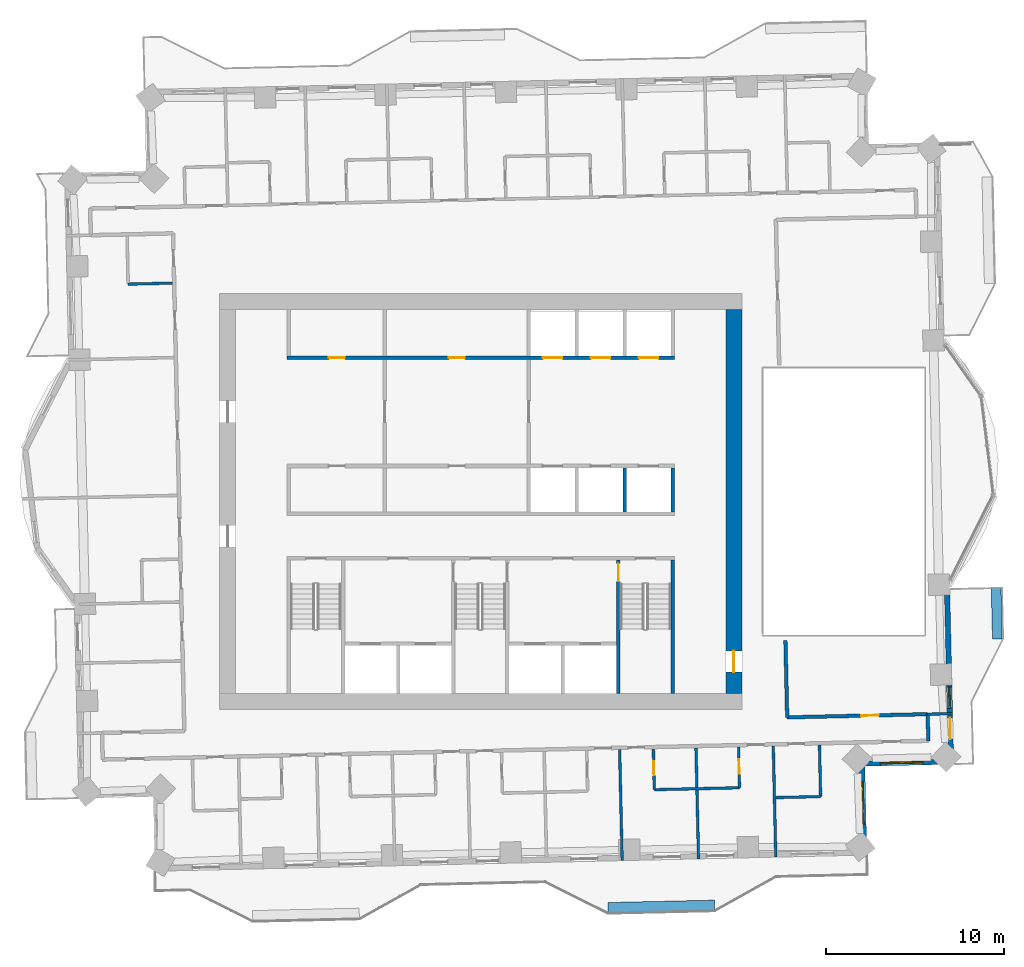
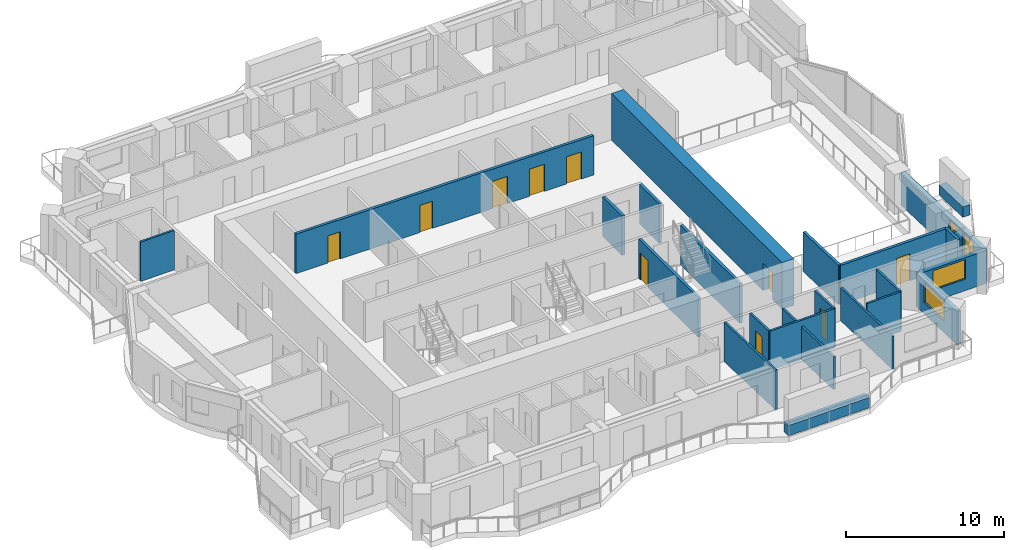
# One storey, part 9 of 16: 24 walls, 11 doors, 3 windows, 14 openings.
"""IFC4 building model written with IfcOpenShell, lengths in metres."""

import ifcopenshell
import ifcopenshell.guid

model = None  # the IFC model being written
_history = None  # IfcOwnerHistory: only IFC2X3 demands one
_inside = {}  # id of a spatial element -> (the spatial element, [elements in it])
_under = {}  # id of a project, library or spatial element -> (it, [spatial elements below it])
_declared = {}  # id of a project -> (the project, [libraries it declares])
_typed = {}  # id of a type object -> (the type object, [elements of that type])
_made_of = {}  # id of a material, layer set ... -> (it, [elements and type objects made of it])


def new_model(schema):
    """Start an empty IFC model of exactly this schema.

    Asked for "IFC4X3", IfcOpenShell would pick the latest addendum, in which some entities
    have other attributes; the version numbers below select the first issue.
    IFC2X3 requires an IfcOwnerHistory on every rooted entity: one is made here for all.
    """
    global model, _history
    if schema == "IFC4X3":
        model = ifcopenshell.file(schema_version=(4, 3, 0, 0))
    else:
        model = ifcopenshell.file(schema=schema)
    _inside.clear()
    _under.clear()
    _declared.clear()
    _typed.clear()
    _made_of.clear()
    _history = None
    if model.schema == "IFC2X3":
        org = make("IfcOrganization", Name="unknown")
        user = make(
            "IfcPersonAndOrganization",
            ThePerson=make("IfcPerson", FamilyName="unknown"),
            TheOrganization=org,
        )
        app = make(
            "IfcApplication",
            ApplicationDeveloper=org,
            Version="unknown",
            ApplicationFullName="unknown",
            ApplicationIdentifier="unknown",
        )
        _history = make(
            "IfcOwnerHistory",
            OwningUser=user,
            OwningApplication=app,
            ChangeAction="ADDED",
            CreationDate=0,
        )
    return model


def make(cls, **values):
    """One entity of the class cls with the attributes given. An attribute that is None is left unset."""
    return model.create_entity(
        cls, **{name: value for name, value in values.items() if value is not None}
    )


def rooted(cls, **values):
    """An entity with a GlobalId (a new one), such as an element, a storey or a relation."""
    return make(cls, GlobalId=ifcopenshell.guid.new(), OwnerHistory=_history, **values)


def si_unit(unit_type, name, prefix=None):
    """IfcSIUnit, for example si_unit("LENGTHUNIT", "METRE", prefix="MILLI")."""
    return make("IfcSIUnit", UnitType=unit_type, Prefix=prefix, Name=name)


def assignment(units):
    """IfcUnitAssignment: the units of a project."""
    return None if units is None else make("IfcUnitAssignment", Units=units)


def point(xyz):
    """IfcCartesianPoint."""
    return None if xyz is None else make("IfcCartesianPoint", Coordinates=xyz)


def direction(xyz):
    """IfcDirection."""
    return None if xyz is None else make("IfcDirection", DirectionRatios=xyz)


def frame(location, z_axis=None, x_axis=None):
    """IfcAxis2Placement3D, a coordinate frame: its origin and axes. An axis left out is left unset."""
    return make(
        "IfcAxis2Placement3D",
        Location=point(location),
        Axis=direction(z_axis),
        RefDirection=direction(x_axis),
    )


def frame_2d(location, x_axis=None):
    """IfcAxis2Placement2D, a coordinate frame in the plane: its origin and x axis."""
    return make(
        "IfcAxis2Placement2D", Location=point(location), RefDirection=direction(x_axis)
    )


def origin():
    """The frame at (0, 0, 0) with its axes left unset."""
    return frame((0.0, 0.0, 0.0))


def place(relative_to, where):
    """IfcLocalPlacement: puts the frame where relative to a parent placement (None: the world)."""
    return make(
        "IfcLocalPlacement", PlacementRelTo=relative_to, RelativePlacement=where
    )


def context(
    kind, dimensions, precision=None, world=None, true_north=None, identifier=None
):
    """IfcGeometricRepresentationContext, for example the 3D "Model" context."""
    return make(
        "IfcGeometricRepresentationContext",
        ContextIdentifier=identifier,
        ContextType=kind,
        CoordinateSpaceDimension=dimensions,
        Precision=precision,
        WorldCoordinateSystem=world,
        TrueNorth=true_north,
    )


def subcontext(parent, identifier, kind, view, scale=None):
    """IfcGeometricRepresentationSubContext, for example "Body" below "Model"."""
    return make(
        "IfcGeometricRepresentationSubContext",
        ContextIdentifier=identifier,
        ContextType=kind,
        ParentContext=parent,
        TargetScale=scale,
        TargetView=view,
    )


def project(units=None, contexts=None):
    """IfcProject with its units and contexts."""
    return rooted(
        "IfcProject",
        Name="project",
        RepresentationContexts=contexts,
        UnitsInContext=assignment(units),
    )


def spatial(cls, under=None, at=None, **own):
    """A site, building, storey or space (cls), placed at a placement, below another one or the project."""
    s = rooted(cls, ObjectPlacement=at, **own)
    if under is not None:
        _under.setdefault(under.id(), (under, []))[1].append(s)
    return s


def profile(cls, at=None, kind="AREA", **sizes):
    """A parametric profile (cls). Its sizes go by their IFC names, for example OverallWidth=200.0."""
    return make(cls, ProfileType=kind, Position=at, **sizes)


def rectangle(**sizes):
    """IfcRectangleProfileDef."""
    return profile("IfcRectangleProfileDef", **sizes)


def extrude(swept, where, along, depth):
    """IfcExtrudedAreaSolid: the profile swept, set in the frame where, extruded along a direction by depth."""
    return make(
        "IfcExtrudedAreaSolid",
        SweptArea=swept,
        Position=where,
        ExtrudedDirection=direction(along),
        Depth=depth,
    )


def shape(context_of_items, identifier, shape_type, items):
    """IfcShapeRepresentation: the items that make up one representation, for example the "Body"."""
    return make(
        "IfcShapeRepresentation",
        ContextOfItems=context_of_items,
        RepresentationIdentifier=identifier,
        RepresentationType=shape_type,
        Items=items,
    )


def material(Name=None, Category=None):
    """IfcMaterial."""
    return make("IfcMaterial", Name=Name, Category=Category)


def layer(
    of_material, thickness, ventilated=None, Name=None, Category=None, Priority=None
):
    """IfcMaterialLayer: one layer of a wall or slab, of a material (None: an air gap)."""
    return make(
        "IfcMaterialLayer",
        Material=of_material,
        LayerThickness=thickness,
        IsVentilated=ventilated,
        Name=Name,
        Category=Category,
        Priority=Priority,
    )


def layer_set(layers, Name=None):
    """IfcMaterialLayerSet."""
    return make("IfcMaterialLayerSet", MaterialLayers=layers, LayerSetName=Name)


def made_of(thing, what):
    """Note that an element or type object is made of a material, layer set ...; save() writes the relation."""
    if what is not None:
        _made_of.setdefault(what.id(), (what, []))[1].append(thing)
    return thing


def type_object(cls, material=None, **own):
    """A type object (cls), such as IfcWallType, which elements share."""
    return made_of(rooted(cls, **own), material)


def element(
    cls,
    number,
    at=None,
    inside=None,
    cuts=None,
    type_object=None,
    material=None,
    context=None,
    identifier="Body",
    shape_type=None,
    held_by="IfcProductDefinitionShape",
    body=None,
    shapes=None,
    **own,
):
    """One element of the class cls, such as IfcWall. Its Tag is "e" and its number.

    at: its placement. inside: the storey or other place that contains it. cuts: it is an
    opening in that element (IfcRelVoidsElement). A single representation is given by context,
    identifier, shape_type and body (its items); several are given by shapes. held_by: the class
    of the entity that holds the representations. save() writes the other relations.
    """
    e = rooted(cls, Tag="e%d" % number, ObjectPlacement=at, **own)
    if body is not None:
        shapes = [shape(context, identifier, shape_type, body)]
    if shapes is not None:
        e.Representation = make(held_by, Representations=shapes)
    if inside is not None:
        _inside.setdefault(inside.id(), (inside, []))[1].append(e)
    if cuts is not None:
        rooted(
            "IfcRelVoidsElement", RelatingBuildingElement=cuts, RelatedOpeningElement=e
        )
    if type_object is not None:
        _typed.setdefault(type_object.id(), (type_object, []))[1].append(e)
    return made_of(e, material)


def fill(opening, filler):
    """IfcRelFillsElement: the door or window that sits in an opening."""
    return rooted(
        "IfcRelFillsElement",
        RelatingOpeningElement=opening,
        RelatedBuildingElement=filler,
    )


def aggregate(whole, parts):
    """IfcRelAggregates: a whole, such as a stair, and the parts it consists of."""
    return rooted("IfcRelAggregates", RelatingObject=whole, RelatedObjects=parts)


def save(model, path):
    """Write the relations noted so far, then the file.

    IfcRelAggregates (storeys below a building ...), IfcRelContainedInSpatialStructure (elements
    in a storey), IfcRelDefinesByType, IfcRelAssociatesMaterial and IfcRelDeclares: one each for
    every whole, place, type object, material and project.
    """
    for whole, parts in _under.values():
        aggregate(whole, parts)
    for where, things in _inside.values():
        rooted(
            "IfcRelContainedInSpatialStructure",
            RelatedElements=things,
            RelatingStructure=where,
        )
    for kind, things in _typed.values():
        rooted("IfcRelDefinesByType", RelatedObjects=things, RelatingType=kind)
    for what, things in _made_of.values():
        rooted("IfcRelAssociatesMaterial", RelatedObjects=things, RelatingMaterial=what)
    for by, libraries in _declared.values():
        rooted("IfcRelDeclares", RelatingContext=by, RelatedDefinitions=libraries)
    model.write(path)


model = new_model("IFC4")

# Units and contexts
model_context = context("Model", 3, precision=1e-05, world=origin(), true_north=direction((0.0, 1.0)))
body_context = subcontext(model_context, "Body", "Model", "MODEL_VIEW")
ifc_project = project(units=[si_unit("LENGTHUNIT", "METRE"), si_unit("AREAUNIT", "SQUARE_METRE"), si_unit("VOLUMEUNIT", "CUBIC_METRE"), si_unit("PLANEANGLEUNIT", "RADIAN"), si_unit("MASSUNIT", "GRAM", prefix="KILO")], contexts=[model_context])

# Site, building, storey
site_placement = place(None, origin())
site = spatial("IfcSite", under=ifc_project, at=site_placement, CompositionType="ELEMENT")
building_placement = place(site_placement, origin())
building = spatial("IfcBuilding", under=site, at=building_placement, Name="Mangrove Gate Tower", CompositionType="ELEMENT")
storey_placement = place(building_placement, frame((0.0, 0.0, 178.89990234375)))
storey = spatial("IfcBuildingStorey", under=building, at=storey_placement, Name="L45", CompositionType="ELEMENT", Elevation=178.89990234375)

# Wall, openings, doors
ifc_material_1 = material(Name="Concrete C60/75", Category="concrete")
ifc_layer_1 = layer(ifc_material_1, 0.199951171875)
ifc_layer_set_1 = layer_set([ifc_layer_1], Name="Core shaft wall 200 C60/75")
wall_type_1 = type_object("IfcWallType", Name="Core shaft wall 200 C60/75", PredefinedType="SHEAR", material=ifc_layer_set_1)
wall_1_placement = place(storey_placement, frame((-10.89990234375, 8.10009765625, 0.0), z_axis=(0.0, 0.0, 1.0), x_axis=(1.0, 0.0, 0.0)))
wall_1 = element("IfcWall", 1, at=wall_1_placement, inside=storey, type_object=wall_type_1, Name="WALL-L45-CORE-8", PredefinedType="SHEAR", context=body_context, shape_type="SweptSolid", body=[
    extrude(rectangle(XDim=21.7998046875, YDim=0.199951171875, at=frame_2d((10.89990234375, 0.0))), origin(), (0.0, 0.0, 1.0), 3.050048828125),
])
opening_1_placement = place(wall_1_placement, frame((14.39990234375, 0.0, 0.0)))
opening_1 = element("IfcOpeningElement", 2, at=opening_1_placement, cuts=wall_1, Name="Opening LD", PredefinedType="OPENING", context=body_context, shape_type="SweptSolid", body=[
    extrude(rectangle(XDim=1.10009765625, YDim=2.10009765625, at=frame_2d((0.550048828125, 1.050048828125))), frame((0.0, 0.10986328125, 0.0), z_axis=(0.0, -1.0, 0.0), x_axis=(1.0, 0.0, 0.0)), (0.0, 0.0, 1.0), 0.219970703125),
])
opening_2_placement = place(wall_1_placement, frame((17.10009765625, 0.0, 0.0)))
opening_2 = element("IfcOpeningElement", 3, at=opening_2_placement, cuts=wall_1, Name="Opening LD", PredefinedType="OPENING", context=body_context, shape_type="SweptSolid", body=[
    extrude(rectangle(XDim=1.10009765625, YDim=2.10009765625, at=frame_2d((0.550048828125, 1.050048828125))), frame((0.0, 0.10986328125, 0.0), z_axis=(0.0, -1.0, 0.0), x_axis=(1.0, 0.0, 0.0)), (0.0, 0.0, 1.0), 0.219970703125),
])
opening_3_placement = place(wall_1_placement, frame((19.800048828125, 0.0, 0.0)))
opening_3 = element("IfcOpeningElement", 4, at=opening_3_placement, cuts=wall_1, Name="Opening LD", PredefinedType="OPENING", context=body_context, shape_type="SweptSolid", body=[
    extrude(rectangle(XDim=1.10009765625, YDim=2.10009765625, at=frame_2d((0.550048828125, 1.050048828125))), frame((0.0, 0.10986328125, 0.0), z_axis=(0.0, -1.0, 0.0), x_axis=(1.0, 0.0, 0.0)), (0.0, 0.0, 1.0), 0.219970703125),
])
opening_4_placement = place(wall_1_placement, frame((2.35009765625, 0.0, 0.0)))
opening_4 = element("IfcOpeningElement", 5, at=opening_4_placement, cuts=wall_1, Name="Opening RD", PredefinedType="OPENING", context=body_context, shape_type="SweptSolid", body=[
    extrude(rectangle(XDim=0.89990234375, YDim=2.10009765625, at=frame_2d((0.449951171875, 1.050048828125))), frame((0.0, 0.10986328125, 0.0), z_axis=(0.0, -1.0, 0.0), x_axis=(1.0, 0.0, 0.0)), (0.0, 0.0, 1.0), 0.219970703125),
])
opening_5_placement = place(wall_1_placement, frame((9.10009765625, 0.0, 0.0)))
opening_5 = element("IfcOpeningElement", 6, at=opening_5_placement, cuts=wall_1, Name="Opening KD", PredefinedType="OPENING", context=body_context, shape_type="SweptSolid", body=[
    extrude(rectangle(XDim=0.89990234375, YDim=2.10009765625, at=frame_2d((0.449951171875, 1.050048828125))), frame((0.0, 0.10986328125, 0.0), z_axis=(0.0, -1.0, 0.0), x_axis=(1.0, 0.0, 0.0)), (0.0, 0.0, 1.0), 0.219970703125),
])
ifc_material_2 = material(Name="Fire-rated steel door set", Category="steel")
door_type_1 = type_object("IfcDoorType", Name="Core room door FD30S 900x2100", OperationType="SINGLE_SWING_RIGHT", PredefinedType="DOOR", material=ifc_material_2)
door_1_placement = place(opening_5_placement, origin())
door_1 = element("IfcDoor", 7, at=door_1_placement, inside=storey, type_object=door_type_1, Name="Core room door Linen store", OperationType="SINGLE_SWING_RIGHT", OverallHeight=2.10009765625, OverallWidth=0.89990234375, PredefinedType="DOOR", context=body_context, shape_type="SweptSolid", body=[
    extrude(rectangle(XDim=0.89990234375, YDim=2.10009765625, at=frame_2d((0.449951171875, 1.050048828125))), frame((0.0, 0.02490234375, 0.0), z_axis=(0.0, -1.0, 0.0), x_axis=(1.0, 0.0, 0.0)), (0.0, 0.0, 1.0), 0.050048828125),
])
fill(opening_5, door_1)
ifc_material_3 = material(Name="Stainless steel 316", Category="steel")
door_type_2 = type_object("IfcDoorType", Name="Lift landing door 1100x2100", OperationType="SLIDING_TO_LEFT", PredefinedType="DOOR", material=ifc_material_3)
door_2_placement = place(opening_1_placement, origin())
door_2 = element("IfcDoor", 8, at=door_2_placement, inside=storey, type_object=door_type_2, Name="Landing door LD M04", OperationType="SLIDING_TO_LEFT", OverallHeight=2.10009765625, OverallWidth=1.10009765625, PredefinedType="DOOR", context=body_context, shape_type="SweptSolid", body=[
    extrude(rectangle(XDim=1.10009765625, YDim=2.10009765625, at=frame_2d((0.550048828125, 1.050048828125))), frame((0.0, 0.02490234375, 0.0), z_axis=(0.0, -1.0, 0.0), x_axis=(1.0, 0.0, 0.0)), (0.0, 0.0, 1.0), 0.050048828125),
])
fill(opening_1, door_2)
door_3_placement = place(opening_2_placement, origin())
door_3 = element("IfcDoor", 9, at=door_3_placement, inside=storey, type_object=door_type_2, Name="Landing door LD M05", OperationType="SLIDING_TO_LEFT", OverallHeight=2.10009765625, OverallWidth=1.10009765625, PredefinedType="DOOR", context=body_context, shape_type="SweptSolid", body=[
    extrude(rectangle(XDim=1.10009765625, YDim=2.10009765625, at=frame_2d((0.550048828125, 1.050048828125))), frame((0.0, 0.02490234375, 0.0), z_axis=(0.0, -1.0, 0.0), x_axis=(1.0, 0.0, 0.0)), (0.0, 0.0, 1.0), 0.050048828125),
])
fill(opening_2, door_3)
door_4_placement = place(opening_3_placement, origin())
door_4 = element("IfcDoor", 10, at=door_4_placement, inside=storey, type_object=door_type_2, Name="Landing door LD M06", OperationType="SLIDING_TO_LEFT", OverallHeight=2.10009765625, OverallWidth=1.10009765625, PredefinedType="DOOR", context=body_context, shape_type="SweptSolid", body=[
    extrude(rectangle(XDim=1.10009765625, YDim=2.10009765625, at=frame_2d((0.550048828125, 1.050048828125))), frame((0.0, 0.02490234375, 0.0), z_axis=(0.0, -1.0, 0.0), x_axis=(1.0, 0.0, 0.0)), (0.0, 0.0, 1.0), 0.050048828125),
])
fill(opening_3, door_4)
ifc_material_4 = material(Name="Fire-rated steel door set", Category="steel")
door_type_3 = type_object("IfcDoorType", Name="Riser door FD30S 900x2100", OperationType="SINGLE_SWING_LEFT", PredefinedType="DOOR", material=ifc_material_4)
door_5_placement = place(opening_4_placement, origin())
door_5 = element("IfcDoor", 11, at=door_5_placement, inside=storey, type_object=door_type_3, Name="Riser door Electrical room", OperationType="SINGLE_SWING_LEFT", OverallHeight=2.10009765625, OverallWidth=0.89990234375, PredefinedType="DOOR", context=body_context, shape_type="SweptSolid", body=[
    extrude(rectangle(XDim=0.89990234375, YDim=2.10009765625, at=frame_2d((0.449951171875, 1.050048828125))), frame((0.0, 0.02490234375, 0.0), z_axis=(0.0, -1.0, 0.0), x_axis=(1.0, 0.0, 0.0)), (0.0, 0.0, 1.0), 0.050048828125),
])
fill(opening_4, door_5)

# Walls
for number, where, z_axis, x_axis, name in (
    (12, (8.10009765625, -0.60009765625, 0.0), (0.0, 0.0, 1.0), (0.0, 1.0, 0.0), "WALL-L45-CORE-23"),
    (13, (10.800048828125, -0.60009765625, 0.0), (0.0, 0.0, 1.0), (0.0, 1.0, 0.0), "WALL-L45-CORE-24"),
):
    element("IfcWall", number, at=place(storey_placement, frame(where, z_axis=z_axis, x_axis=x_axis)), inside=storey, type_object=wall_type_1, Name=name, PredefinedType="SHEAR", context=body_context, shape_type="SweptSolid", body=[
        extrude(rectangle(XDim=2.5, YDim=0.199951171875, at=frame_2d((1.25, 0.0))), origin(), (0.0, 0.0, 1.0), 3.050048828125),
    ])

# Wall, opening, door
ifc_material_5 = material(Name="Concrete C60/75", Category="concrete")
ifc_layer_2 = layer(ifc_material_5, 0.199951171875)
ifc_layer_set_2 = layer_set([ifc_layer_2], Name="Core stair wall 200 C60/75")
wall_type_2 = type_object("IfcWallType", Name="Core stair wall 200 C60/75", PredefinedType="SHEAR", material=ifc_layer_set_2)
wall_2_placement = place(storey_placement, frame((7.75, -10.800048828125, 0.0), z_axis=(0.0, 0.0, 1.0), x_axis=(0.0, 1.0, 0.0)))
wall_2 = element("IfcWall", 14, at=wall_2_placement, inside=storey, type_object=wall_type_2, Name="WALL-L45-CORE-13", PredefinedType="SHEAR", context=body_context, shape_type="SweptSolid", body=[
    extrude(rectangle(XDim=7.5, YDim=0.199951171875, at=frame_2d((3.75, 0.0))), origin(), (0.0, 0.0, 1.0), 3.050048828125),
])
opening_6_placement = place(wall_2_placement, frame((6.300048828125, 0.0, 0.0)))
opening_6 = element("IfcOpeningElement", 15, at=opening_6_placement, cuts=wall_2, Name="Opening STD10", PredefinedType="OPENING", context=body_context, shape_type="SweptSolid", body=[
    extrude(rectangle(XDim=1.0, YDim=2.10009765625, at=frame_2d((0.5, 1.050048828125))), frame((0.0, 0.10986328125, 0.0), z_axis=(0.0, -1.0, 0.0), x_axis=(1.0, 0.0, 0.0)), (0.0, 0.0, 1.0), 0.219970703125),
])
ifc_material_6 = material(Name="Fire-rated steel door set", Category="steel")
door_type_4 = type_object("IfcDoorType", Name="Stair door FD60 1000x2100", OperationType="SINGLE_SWING_RIGHT", PredefinedType="DOOR", material=ifc_material_6)
door_6_placement = place(opening_6_placement, origin())
door_6 = element("IfcDoor", 16, at=door_6_placement, inside=storey, type_object=door_type_4, Name="Stair door Stair 3 from fire-fighting lobby", OperationType="SINGLE_SWING_RIGHT", OverallHeight=2.10009765625, OverallWidth=1.0, PredefinedType="DOOR", context=body_context, shape_type="SweptSolid", body=[
    extrude(rectangle(XDim=1.0, YDim=2.10009765625, at=frame_2d((0.5, 1.050048828125))), frame((0.0, 0.02490234375, 0.0), z_axis=(0.0, -1.0, 0.0), x_axis=(1.0, 0.0, 0.0)), (0.0, 0.0, 1.0), 0.050048828125),
])
fill(opening_6, door_6)

# Wall
wall_3_placement = place(storey_placement, frame((10.800048828125, -10.800048828125, 0.0), z_axis=(0.0, 0.0, 1.0), x_axis=(0.0, 1.0, 0.0)))
element("IfcWall", 17, at=wall_3_placement, inside=storey, type_object=wall_type_2, Name="WALL-L45-CORE-14", PredefinedType="SHEAR", context=body_context, shape_type="SweptSolid", body=[
    extrude(rectangle(XDim=7.5, YDim=0.199951171875, at=frame_2d((3.75, 0.0))), origin(), (0.0, 0.0, 1.0), 3.050048828125),
])

# Wall, opening, door
ifc_material_7 = material(Name="Concrete C60/75", Category="concrete")
ifc_layer_3 = layer(ifc_material_7, 0.89990234375)
ifc_layer_set_3 = layer_set([ifc_layer_3], Name="Core wall 900 C60/75")
wall_type_3 = type_object("IfcWallType", Name="Core wall 900 C60/75", PredefinedType="SHEAR", material=ifc_layer_set_3)
wall_4_placement = place(storey_placement, frame((14.25, -10.800048828125, 0.0), z_axis=(0.0, 0.0, 1.0), x_axis=(0.0, 1.0, 0.0)))
wall_4 = element("IfcWall", 18, at=wall_4_placement, inside=storey, type_object=wall_type_3, Name="WALL-L45-CORE-4", PredefinedType="SHEAR", context=body_context, shape_type="SweptSolid", body=[
    extrude(rectangle(XDim=21.60009765625, YDim=0.89990234375, at=frame_2d((10.800048828125, 0.0))), origin(), (0.0, 0.0, 1.0), 3.60009765625),
])
opening_7_placement = place(wall_4_placement, frame((1.199951171875, 0.0, 0.0)))
opening_7 = element("IfcOpeningElement", 19, at=opening_7_placement, cuts=wall_4, Name="Opening CD", PredefinedType="OPENING", context=body_context, shape_type="SweptSolid", body=[
    extrude(rectangle(XDim=1.199951171875, YDim=2.10009765625, at=frame_2d((0.60009765625, 1.050048828125))), frame((0.0, 0.4599609375, 0.0), z_axis=(0.0, -1.0, 0.0), x_axis=(1.0, 0.0, 0.0)), (0.0, 0.0, 1.0), 0.919921875),
])
ifc_material_8 = material(Name="Fire-rated steel door set", Category="steel")
door_type_5 = type_object("IfcDoorType", Name="Core ring door FD60 1200x2100", OperationType="DOUBLE_DOOR_SINGLE_SWING", PredefinedType="DOOR", material=ifc_material_8)
door_7_placement = place(opening_7_placement, origin())
door_7 = element("IfcDoor", 20, at=door_7_placement, inside=storey, type_object=door_type_5, Name="Core ring door E1", OperationType="DOUBLE_DOOR_SINGLE_SWING", OverallHeight=2.10009765625, OverallWidth=1.199951171875, PredefinedType="DOOR", context=body_context, shape_type="SweptSolid", body=[
    extrude(rectangle(XDim=1.199951171875, YDim=2.10009765625, at=frame_2d((0.60009765625, 1.050048828125))), frame((0.0, 0.02490234375, 0.0), z_axis=(0.0, -1.0, 0.0), x_axis=(1.0, 0.0, 0.0)), (0.0, 0.0, 1.0), 0.050048828125),
])
fill(opening_7, door_7)

# Walls
ifc_material_9 = material(Name="Gypsum board on steel stud, EI 60", Category="steel")
ifc_layer_4 = layer(ifc_material_9, 0.199951171875)
ifc_layer_set_4 = layer_set([ifc_layer_4], Name="Corridor wall EI 60")
wall_type_4 = type_object("IfcWallType", Name="Corridor wall EI 60", PredefinedType="PARTITIONING", material=ifc_layer_set_4)
wall_5_placement = place(storey_placement, frame((25.18896484375, -13.468994140625, 0.0), z_axis=(0.0, 0.0, 1.0), x_axis=(-0.022617910375, 0.999744182344, 0.0)))
element("IfcWall", 21, at=wall_5_placement, inside=storey, type_object=wall_type_4, Name="WALL-L45-026", PredefinedType="PARTITIONING", context=body_context, shape_type="SweptSolid", body=[
    extrude(rectangle(XDim=1.50048828125, YDim=0.199951171875, at=frame_2d((0.750244140625, 0.0))), origin(), (0.0, 0.0, 1.0), 3.050048828125),
])
wall_6_placement = place(storey_placement, frame((17.2470703125, -12.14892578125, 0.0), z_axis=(0.0, 0.0, 1.0), x_axis=(-0.022729111383, 0.999741660378, 0.0)))
element("IfcWall", 22, at=wall_6_placement, inside=storey, type_object=wall_type_4, Name="WALL-L45-030", PredefinedType="PARTITIONING", context=body_context, shape_type="SweptSolid", body=[
    extrude(rectangle(XDim=4.318115234375, YDim=0.199951171875, at=frame_2d((2.1591796875, 0.0))), origin(), (0.0, 0.0, 1.0), 3.050048828125),
])

# Wall, opening, door
wall_7_placement = place(storey_placement, frame((17.248046875, -12.14892578125, 0.0), z_axis=(0.0, 0.0, 1.0), x_axis=(0.999741181744, 0.022750154412, 0.0)))
wall_7 = element("IfcWall", 23, at=wall_7_placement, inside=storey, type_object=wall_type_4, Name="WALL-L45-031", PredefinedType="PARTITIONING", context=body_context, shape_type="SweptSolid", body=[
    extrude(rectangle(XDim=7.908935546875, YDim=0.199951171875, at=frame_2d((3.95458984375, 0.0))), origin(), (0.0, 0.0, 1.0), 3.050048828125),
])
opening_8_placement = place(wall_7_placement, frame((4.155029296875, 0.0, 0.0)))
opening_8 = element("IfcOpeningElement", 24, at=opening_8_placement, cuts=wall_7, Name="Opening AD", PredefinedType="OPENING", context=body_context, shape_type="SweptSolid", body=[
    extrude(rectangle(XDim=1.0, YDim=2.10009765625, at=frame_2d((0.5, 1.050048828125))), frame((0.0, 0.10986328125, 0.0), z_axis=(0.0, -1.0, 0.0), x_axis=(1.0, 0.0, 0.0)), (0.0, 0.0, 1.0), 0.219970703125),
])
ifc_material_10 = material(Name="Timber door leaf", Category="wood")
door_type_6 = type_object("IfcDoorType", Name="Amenity door 1000", OperationType="SINGLE_SWING_LEFT", PredefinedType="DOOR", material=ifc_material_10)
door_8_placement = place(opening_8_placement, origin())
door_8 = element("IfcDoor", 25, at=door_8_placement, inside=storey, type_object=door_type_6, Name="DOOR-L45-LNG-c3b", OperationType="SINGLE_SWING_LEFT", OverallHeight=2.10009765625, OverallWidth=1.0, PredefinedType="DOOR", context=body_context, shape_type="SweptSolid", body=[
    extrude(rectangle(XDim=1.0, YDim=2.10009765625, at=frame_2d((0.5, 1.050048828125))), frame((0.0, 0.02490234375, 0.0), z_axis=(0.0, -1.0, 0.0), x_axis=(1.0, 0.0, 0.0)), (0.0, 0.0, 1.0), 0.050048828125),
])
fill(opening_8, door_8)

# Wall, openings, door, window
ifc_material_11 = material(Name="Limestone", Category="masonry")
ifc_layer_5 = layer(ifc_material_11, 0.0400390625, Name="Limestone cladding")
ifc_material_12 = material(Name="Ventilated air gap")
ifc_layer_6 = layer(ifc_material_12, 0.0400390625, Name="Ventilated cavity")
ifc_material_13 = material(Name="Mineral wool insulation")
ifc_layer_7 = layer(ifc_material_13, 0.06005859375, Name="Insulation")
ifc_material_14 = material(Name="Breather membrane")
ifc_layer_8 = layer(ifc_material_14, 0.001953125, Name="Breather membrane")
ifc_material_15 = material(Name="Concrete C20/25 blockwork", Category="masonry")
ifc_layer_9 = layer(ifc_material_15, 0.14990234375, Name="Blockwork backing wall")
ifc_material_16 = material(Name="Gypsum plaster")
ifc_layer_10 = layer(ifc_material_16, 0.008056640625, Name="Internal plaster")
ifc_layer_set_5 = layer_set([ifc_layer_5, ifc_layer_6, ifc_layer_7, ifc_layer_8, ifc_layer_9, ifc_layer_10], Name="External wall 300 limestone cladding")
wall_type_5 = type_object("IfcWallType", Name="External wall 300 limestone cladding", PredefinedType="SOLIDWALL", material=ifc_layer_set_5)
wall_8_placement = place(storey_placement, frame((26.466064453125, -14.639892578125, 0.0), z_axis=(0.0, 0.0, 1.0), x_axis=(-0.022735782058, 0.999741508698, 0.0)))
wall_8 = element("IfcWall", 26, at=wall_8_placement, inside=storey, type_object=wall_type_5, Name="WALL-L45-E0", PredefinedType="SOLIDWALL", context=body_context, shape_type="SweptSolid", body=[
    extrude(rectangle(XDim=10.029541015625, YDim=0.300048828125, at=frame_2d((5.0146484375, 0.0))), origin(), (0.0, 0.0, 1.0), 2.550048828125),
])
opening_9_placement = place(wall_8_placement, frame((1.260009765625, 0.0, 0.0)))
opening_9 = element("IfcOpeningElement", 27, at=opening_9_placement, cuts=wall_8, Name="Opening BD2", PredefinedType="OPENING", context=body_context, shape_type="SweptSolid", body=[
    extrude(rectangle(XDim=1.199951171875, YDim=2.39990234375, at=frame_2d((0.60009765625, 1.199951171875))), frame((0.0, 0.159912109375, 0.0), z_axis=(0.0, -1.0, 0.0), x_axis=(1.0, 0.0, 0.0)), (0.0, 0.0, 1.0), 0.320068359375),
])
opening_10_placement = place(wall_8_placement, frame((3.006103515625, 0.0, 0.89990234375)))
opening_10 = element("IfcOpeningElement", 28, at=opening_10_placement, cuts=wall_8, Name="Opening W1", PredefinedType="OPENING", context=body_context, shape_type="SweptSolid", body=[
    extrude(rectangle(XDim=1.199951171875, YDim=1.5, at=frame_2d((0.60009765625, 0.75))), frame((0.0, 0.159912109375, 0.0), z_axis=(0.0, -1.0, 0.0), x_axis=(1.0, 0.0, 0.0)), (0.0, 0.0, 1.0), 0.320068359375),
])
ifc_material_17 = material(Name="Aluminium frame with laminated clear glass", Category="aluminium")
door_type_7 = type_object("IfcDoorType", Name="Balcony sliding door 1200x2400", OperationType="SLIDING_TO_LEFT", PredefinedType="DOOR", material=ifc_material_17)
door_9_placement = place(opening_9_placement, origin())
door_9 = element("IfcDoor", 29, at=door_9_placement, inside=storey, type_object=door_type_7, Name="DOOR-L45-E0-1", OperationType="SLIDING_TO_LEFT", OverallHeight=2.39990234375, OverallWidth=1.199951171875, PredefinedType="DOOR", context=body_context, shape_type="SweptSolid", body=[
    extrude(rectangle(XDim=1.199951171875, YDim=2.39990234375, at=frame_2d((0.60009765625, 1.199951171875))), frame((0.0, 0.02490234375, 0.0), z_axis=(0.0, -1.0, 0.0), x_axis=(1.0, 0.0, 0.0)), (0.0, 0.0, 1.0), 0.050048828125),
])
fill(opening_9, door_9)
ifc_material_18 = material(Name="Aluminium frame with double-glazed low-e glass", Category="aluminium")
window_type_1 = type_object("IfcWindowType", Name="Side lite 1200x1500", PartitioningType="SINGLE_PANEL", PredefinedType="WINDOW", material=ifc_material_18)
window_1_placement = place(opening_10_placement, origin())
window_1 = element("IfcWindow", 30, at=window_1_placement, inside=storey, type_object=window_type_1, Name="WIN-L45-E0-2", OverallHeight=1.5, OverallWidth=1.199951171875, PartitioningType="SINGLE_PANEL", PredefinedType="WINDOW", context=body_context, shape_type="SweptSolid", body=[
    extrude(rectangle(XDim=1.199951171875, YDim=1.5, at=frame_2d((0.60009765625, 0.75))), frame((0.0, 0.030029296875, 0.0), z_axis=(0.0, -1.0, 0.0), x_axis=(1.0, 0.0, 0.0)), (0.0, 0.0, 1.0), 0.06005859375),
])
fill(opening_10, window_1)

# Wall, opening, window
wall_9_placement = place(storey_placement, frame((21.5810546875, -19.751953125, 0.0), z_axis=(0.0, 0.0, 1.0), x_axis=(-0.022801259434, 0.999740017489, 0.0)))
wall_9 = element("IfcWall", 31, at=wall_9_placement, inside=storey, type_object=wall_type_5, Name="WALL-L45-E14", PredefinedType="SOLIDWALL", context=body_context, shape_type="SweptSolid", body=[
    extrude(rectangle(XDim=5.000244140625, YDim=0.300048828125, at=frame_2d((2.5, 0.0))), origin(), (0.0, 0.0, 1.0), 2.550048828125),
])
opening_11_placement = place(wall_9_placement, frame((1.597900390625, 0.0, 0.89990234375)))
opening_11 = element("IfcOpeningElement", 32, at=opening_11_placement, cuts=wall_9, Name="Opening W2", PredefinedType="OPENING", context=body_context, shape_type="SweptSolid", body=[
    extrude(rectangle(XDim=2.39990234375, YDim=1.5, at=frame_2d((1.199951171875, 0.75))), frame((0.0, 0.159912109375, 0.0), z_axis=(0.0, -1.0, 0.0), x_axis=(1.0, 0.0, 0.0)), (0.0, 0.0, 1.0), 0.320068359375),
])
ifc_material_19 = material(Name="Aluminium frame with double-glazed low-e glass", Category="aluminium")
window_type_2 = type_object("IfcWindowType", Name="Corner room window 2400x1500", PartitioningType="DOUBLE_PANEL_VERTICAL", PredefinedType="WINDOW", material=ifc_material_19)
window_2_placement = place(opening_11_placement, origin())
window_2 = element("IfcWindow", 33, at=window_2_placement, inside=storey, type_object=window_type_2, Name="WIN-L45-E14-1", OverallHeight=1.5, OverallWidth=2.39990234375, PartitioningType="DOUBLE_PANEL_VERTICAL", PredefinedType="WINDOW", context=body_context, shape_type="SweptSolid", body=[
    extrude(rectangle(XDim=2.39990234375, YDim=1.5, at=frame_2d((1.199951171875, 0.75))), frame((0.0, 0.030029296875, 0.0), z_axis=(0.0, -1.0, 0.0), x_axis=(1.0, 0.0, 0.0)), (0.0, 0.0, 1.0), 0.06005859375),
])
fill(opening_11, window_2)

wall_10_placement = place(storey_placement, frame((21.467041015625, -14.7529296875, 0.0), z_axis=(0.0, 0.0, 1.0), x_axis=(0.999744450377, 0.022606059803, 0.0)))
wall_10 = element("IfcWall", 34, at=wall_10_placement, inside=storey, type_object=wall_type_5, Name="WALL-L45-S15", PredefinedType="SOLIDWALL", context=body_context, shape_type="SweptSolid", body=[
    extrude(rectangle(XDim=5.000244140625, YDim=0.300048828125, at=frame_2d((2.5, 0.0))), origin(), (0.0, 0.0, 1.0), 2.550048828125),
])
opening_12_placement = place(wall_10_placement, frame((1.02392578125, 0.0, 0.89990234375)))
opening_12 = element("IfcOpeningElement", 35, at=opening_12_placement, cuts=wall_10, Name="Opening W2", PredefinedType="OPENING", context=body_context, shape_type="SweptSolid", body=[
    extrude(rectangle(XDim=2.39990234375, YDim=1.5, at=frame_2d((1.199951171875, 0.75))), frame((0.0, 0.159912109375, 0.0), z_axis=(0.0, -1.0, 0.0), x_axis=(1.0, 0.0, 0.0)), (0.0, 0.0, 1.0), 0.320068359375),
])
window_3_placement = place(opening_12_placement, origin())
window_3 = element("IfcWindow", 36, at=window_3_placement, inside=storey, type_object=window_type_2, Name="WIN-L45-S15-1", OverallHeight=1.5, OverallWidth=2.39990234375, PartitioningType="DOUBLE_PANEL_VERTICAL", PredefinedType="WINDOW", context=body_context, shape_type="SweptSolid", body=[
    extrude(rectangle(XDim=2.39990234375, YDim=1.5, at=frame_2d((1.199951171875, 0.75))), frame((0.0, 0.030029296875, 0.0), z_axis=(0.0, -1.0, 0.0), x_axis=(1.0, 0.0, 0.0)), (0.0, 0.0, 1.0), 0.06005859375),
])
fill(opening_12, window_3)

# Walls
ifc_material_20 = material(Name="Gypsum board on steel stud, EI 60", Category="steel")
ifc_layer_11 = layer(ifc_material_20, 0.14990234375)
ifc_layer_set_6 = layer_set([ifc_layer_11], Name="Party wall 150 EI 60")
wall_type_6 = type_object("IfcWallType", Name="Party wall 150 EI 60", PredefinedType="PARTITIONING", material=ifc_layer_set_6)
wall_11_placement = place(storey_placement, frame((7.9580078125, -20.2109375, 0.0), z_axis=(0.0, 0.0, 1.0), x_axis=(-0.02273560333, 0.999741512763, 0.0)))
element("IfcWall", 37, at=wall_11_placement, inside=storey, type_object=wall_type_6, Name="WALL-L45-006", PredefinedType="PARTITIONING", context=body_context, shape_type="SweptSolid", body=[
    extrude(rectangle(XDim=6.249755859375, YDim=0.14990234375, at=frame_2d((3.125, 0.0))), origin(), (0.0, 0.0, 1.0), 3.050048828125),
])
wall_12_placement = place(storey_placement, frame((12.257080078125, -20.114013671875, 0.0), z_axis=(0.0, 0.0, 1.0), x_axis=(-0.022732052173, 0.999741593515, 0.0)))
element("IfcWall", 38, at=wall_12_placement, inside=storey, type_object=wall_type_6, Name="WALL-L45-007", PredefinedType="PARTITIONING", context=body_context, shape_type="SweptSolid", body=[
    extrude(rectangle(XDim=6.250732421875, YDim=0.14990234375, at=frame_2d((3.12548828125, 0.0))), origin(), (0.0, 0.0, 1.0), 2.550048828125),
])
wall_13_placement = place(storey_placement, frame((16.60498046875, -20.014892578125, 0.0), z_axis=(0.0, 0.0, 1.0), x_axis=(-0.022541260291, 0.999745913512, 0.0)))
element("IfcWall", 39, at=wall_13_placement, inside=storey, type_object=wall_type_6, Name="WALL-L45-008", PredefinedType="PARTITIONING", context=body_context, shape_type="SweptSolid", body=[
    extrude(rectangle(XDim=6.24951171875, YDim=0.14990234375, at=frame_2d((3.124755859375, 0.0))), origin(), (0.0, 0.0, 1.0), 2.550048828125),
])
wall_14_placement = place(storey_placement, frame((16.60400390625, -16.6640625, 0.0), z_axis=(0.0, 0.0, 1.0), x_axis=(0.999744126128, 0.022620395041, 0.0)))
element("IfcWall", 40, at=wall_14_placement, inside=storey, type_object=wall_type_6, Name="WALL-L45-011", PredefinedType="PARTITIONING", context=body_context, shape_type="SweptSolid", body=[
    extrude(rectangle(XDim=2.525634765625, YDim=0.14990234375, at=frame_2d((1.2626953125, 0.0))), origin(), (0.0, 0.0, 1.0), 3.050048828125),
])
wall_15_placement = place(storey_placement, frame((19.12890625, -16.60693359375, 0.0), z_axis=(0.0, 0.0, 1.0), x_axis=(-0.022732880677, 0.999741574676, 0.0)))
element("IfcWall", 41, at=wall_15_placement, inside=storey, type_object=wall_type_6, Name="WALL-L45-012", PredefinedType="PARTITIONING", context=body_context, shape_type="SweptSolid", body=[
    extrude(rectangle(XDim=2.899658203125, YDim=0.14990234375, at=frame_2d((1.44970703125, 0.0))), origin(), (0.0, 0.0, 1.0), 3.050048828125),
])
wall_16_placement = place(storey_placement, frame((9.76806640625, -16.218994140625, 0.0), z_axis=(0.0, 0.0, 1.0), x_axis=(0.999742570398, 0.022689048768, 0.0)))
element("IfcWall", 42, at=wall_16_placement, inside=storey, type_object=wall_type_6, Name="WALL-L45-021", PredefinedType="PARTITIONING", context=body_context, shape_type="SweptSolid", body=[
    extrude(rectangle(XDim=4.799072265625, YDim=0.14990234375, at=frame_2d((2.3994140625, 0.0))), origin(), (0.0, 0.0, 1.0), 3.050048828125),
])

# Wall, opening, door
wall_17_placement = place(storey_placement, frame((9.76806640625, -16.218994140625, 0.0), z_axis=(0.0, 0.0, 1.0), x_axis=(-0.023037316498, 0.999734605807, 0.0)))
wall_17 = element("IfcWall", 43, at=wall_17_placement, inside=storey, type_object=wall_type_6, Name="WALL-L45-022", PredefinedType="PARTITIONING", context=body_context, shape_type="SweptSolid", body=[
    extrude(rectangle(XDim=2.299560546875, YDim=0.14990234375, at=frame_2d((1.14990234375, 0.0))), origin(), (0.0, 0.0, 1.0), 3.050048828125),
])
opening_13_placement = place(wall_17_placement, frame((0.800048828125, 0.0, 0.0)))
opening_13 = element("IfcOpeningElement", 44, at=opening_13_placement, cuts=wall_17, Name="Opening ED", PredefinedType="OPENING", context=body_context, shape_type="SweptSolid", body=[
    extrude(rectangle(XDim=0.800048828125, YDim=2.10009765625, at=frame_2d((0.39990234375, 1.050048828125))), frame((0.0, 0.0849609375, 0.0), z_axis=(0.0, -1.0, 0.0), x_axis=(1.0, 0.0, 0.0)), (0.0, 0.0, 1.0), 0.169921875),
])
ifc_material_21 = material(Name="Timber door leaf", Category="wood")
door_type_8 = type_object("IfcDoorType", Name="En-suite door 800", OperationType="SINGLE_SWING_LEFT", PredefinedType="DOOR", material=ifc_material_21)
door_10_placement = place(opening_13_placement, origin())
door_10 = element("IfcDoor", 45, at=door_10_placement, inside=storey, type_object=door_type_8, Name="DOOR-L45-ENS-c206", OperationType="SINGLE_SWING_RIGHT", OverallHeight=2.10009765625, OverallWidth=0.800048828125, PredefinedType="DOOR", context=body_context, shape_type="SweptSolid", body=[
    extrude(rectangle(XDim=0.800048828125, YDim=2.10009765625, at=frame_2d((0.39990234375, 1.050048828125))), frame((0.0, 0.02490234375, 0.0), z_axis=(0.0, -1.0, 0.0), x_axis=(1.0, 0.0, 0.0)), (0.0, 0.0, 1.0), 0.050048828125),
])
fill(opening_13, door_10)

wall_18_placement = place(storey_placement, frame((14.56591796875, -16.110107421875, 0.0), z_axis=(0.0, 0.0, 1.0), x_axis=(-0.022612884682, 0.999744296031, 0.0)))
wall_18 = element("IfcWall", 46, at=wall_18_placement, inside=storey, type_object=wall_type_6, Name="WALL-L45-023", PredefinedType="PARTITIONING", context=body_context, shape_type="SweptSolid", body=[
    extrude(rectangle(XDim=2.299560546875, YDim=0.14990234375, at=frame_2d((1.14990234375, 0.0))), origin(), (0.0, 0.0, 1.0), 3.050048828125),
])
opening_14_placement = place(wall_18_placement, frame((0.800048828125, 0.0, 0.0)))
opening_14 = element("IfcOpeningElement", 47, at=opening_14_placement, cuts=wall_18, Name="Opening ED", PredefinedType="OPENING", context=body_context, shape_type="SweptSolid", body=[
    extrude(rectangle(XDim=0.800048828125, YDim=2.10009765625, at=frame_2d((0.39990234375, 1.050048828125))), frame((0.0, 0.0849609375, 0.0), z_axis=(0.0, -1.0, 0.0), x_axis=(1.0, 0.0, 0.0)), (0.0, 0.0, 1.0), 0.169921875),
])
door_11_placement = place(opening_14_placement, origin())
door_11 = element("IfcDoor", 48, at=door_11_placement, inside=storey, type_object=door_type_8, Name="DOOR-L45-ENS-c307", OperationType="SINGLE_SWING_LEFT", OverallHeight=2.10009765625, OverallWidth=0.800048828125, PredefinedType="DOOR", context=body_context, shape_type="SweptSolid", body=[
    extrude(rectangle(XDim=0.800048828125, YDim=2.10009765625, at=frame_2d((0.39990234375, 1.050048828125))), frame((0.0, 0.02490234375, 0.0), z_axis=(0.0, -1.0, 0.0), x_axis=(1.0, 0.0, 0.0)), (0.0, 0.0, 1.0), 0.050048828125),
])
fill(opening_14, door_11)

# Walls
wall_19_placement = place(storey_placement, frame((25.15087890625, -11.968994140625, 0.0), z_axis=(0.0, 0.0, 1.0), x_axis=(0.999740667531, 0.022772739949, 0.0)))
element("IfcWall", 49, at=wall_19_placement, inside=storey, type_object=wall_type_6, Name="WALL-L45-032", PredefinedType="PARTITIONING", context=body_context, shape_type="SweptSolid", body=[
    extrude(rectangle(XDim=1.404296875, YDim=0.14990234375, at=frame_2d((0.7021484375, 0.0))), origin(), (0.0, 0.0, 1.0), 2.550048828125),
])
wall_20_placement = place(storey_placement, frame((-19.85107421875, 12.236083984375, 0.0), z_axis=(0.0, 0.0, 1.0), x_axis=(0.999741230352, 0.02274801823, 0.0)))
element("IfcWall", 50, at=wall_20_placement, inside=storey, type_object=wall_type_6, Name="WALL-L45-040", PredefinedType="PARTITIONING", context=body_context, shape_type="SweptSolid", body=[
    extrude(rectangle(XDim=2.500732421875, YDim=0.14990234375, at=frame_2d((1.25048828125, 0.0))), origin(), (0.0, 0.0, 1.0), 3.050048828125),
])
ifc_material_22 = material(Name="Concrete C32/40", Category="concrete")
ifc_layer_12 = layer(ifc_material_22, 0.199951171875, Name="Planter trough wall")
ifc_material_23 = material(Name="Bituminous waterproofing membrane")
ifc_layer_13 = layer(ifc_material_23, 0.0048828125, Name="Waterproofing")
ifc_material_24 = material(Name="Drainage board and gravel")
ifc_layer_14 = layer(ifc_material_24, 0.044921875, Name="Drainage layer")
ifc_material_25 = material(Name="Planting soil")
ifc_layer_15 = layer(ifc_material_25, 0.300048828125, Name="Growing medium")
ifc_layer_set_7 = layer_set([ifc_layer_12, ifc_layer_13, ifc_layer_14, ifc_layer_15], Name="Planter wall 550 C32/40")
wall_type_7 = type_object("IfcWallType", Name="Planter wall 550 C32/40", PredefinedType="USERDEFINED", material=ifc_layer_set_7)
wall_21_placement = place(storey_placement, frame((29.074951171875, -7.72900390625, 0.0), z_axis=(0.0, 0.0, 1.0), x_axis=(-0.022590224177, 0.999744808324, 0.0)))
element("IfcWall", 51, at=wall_21_placement, inside=storey, type_object=wall_type_7, Name="PLANTER L45 E0.1", ObjectType="PLANTER", PredefinedType="USERDEFINED", context=body_context, shape_type="SweptSolid", body=[
    extrude(rectangle(XDim=2.874755859375, YDim=0.550048828125, at=frame_2d((1.4375, 0.0))), origin(), (0.0, 0.0, 1.0), 0.800048828125),
])
wall_22_placement = place(storey_placement, frame((7.156982421875, -22.844970703125, 0.0), z_axis=(0.0, 0.0, 1.0), x_axis=(0.999743178102, 0.022662255828, 0.0)))
element("IfcWall", 52, at=wall_22_placement, inside=storey, type_object=wall_type_7, Name="PLANTER L45 S1.1", ObjectType="PLANTER", PredefinedType="USERDEFINED", context=body_context, shape_type="SweptSolid", body=[
    extrude(rectangle(XDim=6.00048828125, YDim=0.550048828125, at=frame_2d((3.000244140625, 0.0))), origin(), (0.0, 0.0, 1.0), 0.800048828125),
])

save(model, "model.ifc")
